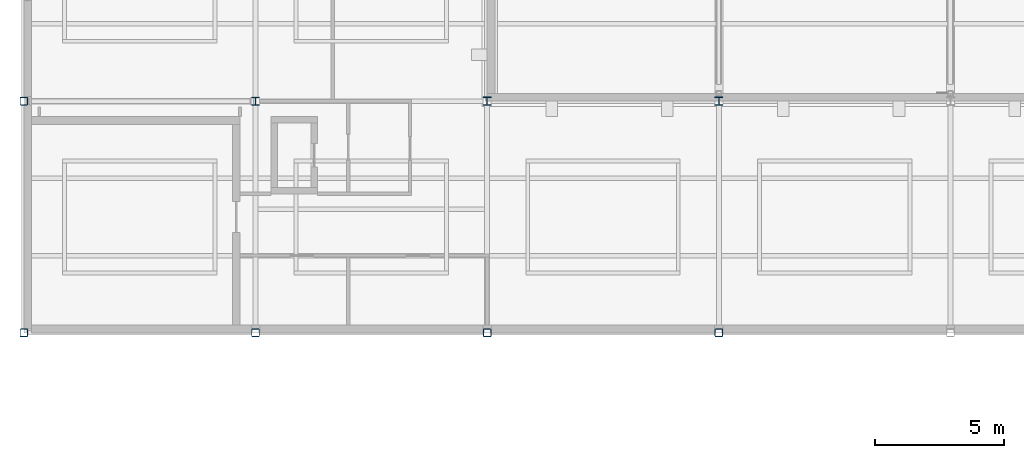
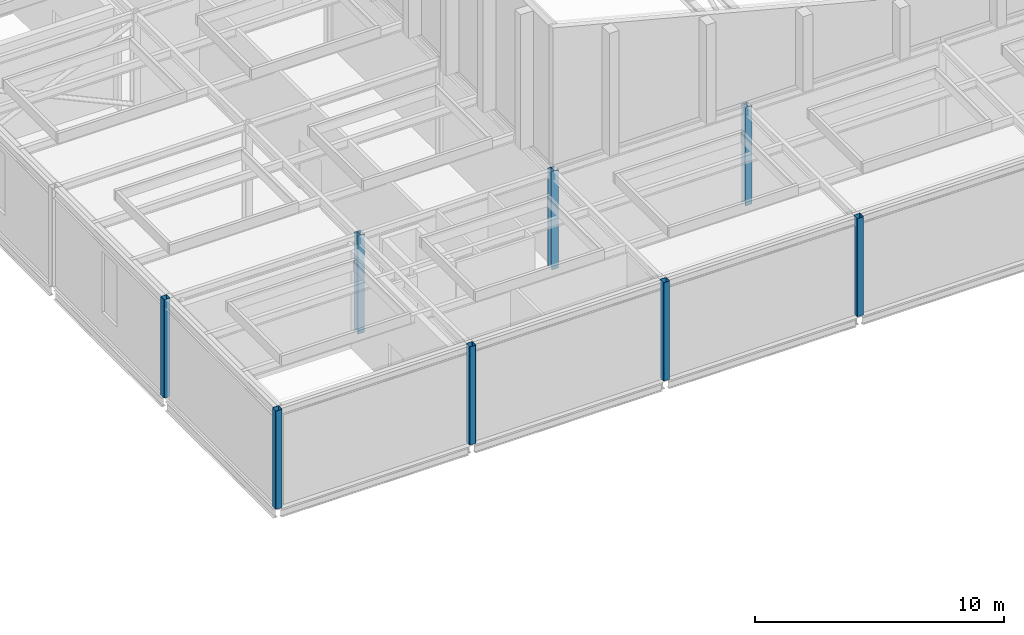
# One storey, part 2 of 115: 8 columns.
"""IFC4 building model written with IfcOpenShell, lengths in metres."""

from ifc_helpers import new_model, si_unit, direction, frame, origin, origin_2d, place, context, subcontext, project, spatial, hollow_rectangle, i_section, extrude, material, material_profile, profile_set, type_object, element, save


model = new_model("IFC4")

# Units and contexts
model_context = context("Model", 3, precision=1e-05, world=origin(), true_north=direction((0.0, 1.0)))
body_context = subcontext(model_context, "Body", "Model", "MODEL_VIEW")
ifc_project = project(units=[si_unit("LENGTHUNIT", "METRE"), si_unit("AREAUNIT", "SQUARE_METRE"), si_unit("VOLUMEUNIT", "CUBIC_METRE"), si_unit("PLANEANGLEUNIT", "RADIAN"), si_unit("MASSUNIT", "GRAM", prefix="KILO")], contexts=[model_context])

# Site, building, storey
site_placement = place(None, origin())
site = spatial("IfcSite", under=ifc_project, at=site_placement, CompositionType="ELEMENT")
building_placement = place(site_placement, origin())
building = spatial("IfcBuilding", under=site, at=building_placement, Name="Shorebreak Coast Museum", CompositionType="ELEMENT")
storey_placement = place(building_placement, frame((0.0, 0.0, 11.0)))
storey = spatial("IfcBuildingStorey", under=building, at=storey_placement, Name="L02", CompositionType="ELEMENT", Elevation=11.0)

# Columns
ifc_material_1 = material(Name="Steel Grade C450L0", Category="steel")
ifc_material_profile_1 = material_profile(ifc_material_1, hollow_rectangle(XDim=0.300048828125, YDim=0.300048828125, WallThickness=0.012451171875, InnerFilletRadius=0.018798828125, OuterFilletRadius=0.03125, at=origin_2d()), Name="300x300x12.5 SHS")
ifc_profile_set_1 = profile_set([ifc_material_profile_1], Name="Steel Grade C450L0")
column_type_1 = type_object("IfcColumnType", Name="Column 300x300x12.5 SHS", PredefinedType="COLUMN", material=ifc_profile_set_1)
for number, where, z_axis, x_axis, name in (
    (1, (0.0, 54.0, 0.0), (0.0, 0.0, 1.0), (1.0, 0.0, 0.0), "Column L02 1G"),
    (2, (9.0, 54.0, 0.0), (0.0, 0.0, 1.0), (1.0, 0.0, 0.0), "Column L02 2G"),
    (3, (18.0, 54.0, 0.0), (0.0, 0.0, 1.0), (1.0, 0.0, 0.0), "Column L02 3G"),
    (4, (27.0, 54.0, 0.0), (0.0, 0.0, 1.0), (1.0, 0.0, 0.0), "Column L02 4G"),
    (5, (0.0, 63.0, 0.0), (0.0, 0.0, 1.0), (1.0, 0.0, 0.0), "Column L02 1H"),
):
    element("IfcColumn", number, at=place(storey_placement, frame(where, z_axis=z_axis, x_axis=x_axis)), inside=storey, type_object=column_type_1, Name=name, PredefinedType="COLUMN", context=body_context, shape_type="SweptSolid", body=[
        extrude(hollow_rectangle(XDim=0.300048828125, YDim=0.300048828125, WallThickness=0.012451171875, InnerFilletRadius=0.018798828125, OuterFilletRadius=0.03125, at=origin_2d()), origin(), (0.0, 0.0, 1.0), 4.824951171875),
    ])
ifc_material_2 = material(Name="Steel Grade 300", Category="steel")
ifc_material_profile_2 = material_profile(ifc_material_2, i_section(OverallWidth=0.306884765625, OverallDepth=0.314697265625, WebThickness=0.011962890625, FlangeThickness=0.018798828125, FilletRadius=0.0166015625, at=origin_2d()), Name="310UC118")
ifc_profile_set_2 = profile_set([ifc_material_profile_2], Name="Steel Grade 300")
column_type_2 = type_object("IfcColumnType", Name="Column 310UC118", PredefinedType="COLUMN", material=ifc_profile_set_2)
column_placement = place(storey_placement, frame((9.0, 63.0, 0.0), z_axis=(0.0, 0.0, 1.0), x_axis=(1.0, 0.0, 0.0)))
element("IfcColumn", 6, at=column_placement, inside=storey, type_object=column_type_2, Name="Column L02 2H", PredefinedType="COLUMN", context=body_context, shape_type="SweptSolid", body=[
    extrude(i_section(OverallWidth=0.306884765625, OverallDepth=0.314697265625, WebThickness=0.011962890625, FlangeThickness=0.018798828125, FilletRadius=0.0166015625, at=origin_2d()), origin(), (0.0, 0.0, 1.0), 4.824951171875),
])
ifc_material_3 = material(Name="Steel Grade 300", Category="steel")
ifc_material_profile_3 = material_profile(ifc_material_3, i_section(OverallWidth=0.31103515625, OverallDepth=0.3271484375, WebThickness=0.015625, FlangeThickness=0.02490234375, FilletRadius=0.0166015625, at=origin_2d()), Name="310UC158")
ifc_profile_set_3 = profile_set([ifc_material_profile_3], Name="Steel Grade 300")
column_type_3 = type_object("IfcColumnType", Name="Column 310UC158", PredefinedType="COLUMN", material=ifc_profile_set_3)
for number, where, z_axis, x_axis, name in (
    (7, (18.0, 63.0, 0.0), (0.0, 0.0, 1.0), (1.0, 0.0, 0.0), "Column L02 3H"),
    (8, (27.0, 63.0, 0.0), (0.0, 0.0, 1.0), (1.0, 0.0, 0.0), "Column L02 4H"),
):
    element("IfcColumn", number, at=place(storey_placement, frame(where, z_axis=z_axis, x_axis=x_axis)), inside=storey, type_object=column_type_3, Name=name, PredefinedType="COLUMN", context=body_context, shape_type="SweptSolid", body=[
        extrude(i_section(OverallWidth=0.31103515625, OverallDepth=0.3271484375, WebThickness=0.015625, FlangeThickness=0.02490234375, FilletRadius=0.0166015625, at=origin_2d()), origin(), (0.0, 0.0, 1.0), 4.824951171875),
    ])

save(model, "model.ifc")
